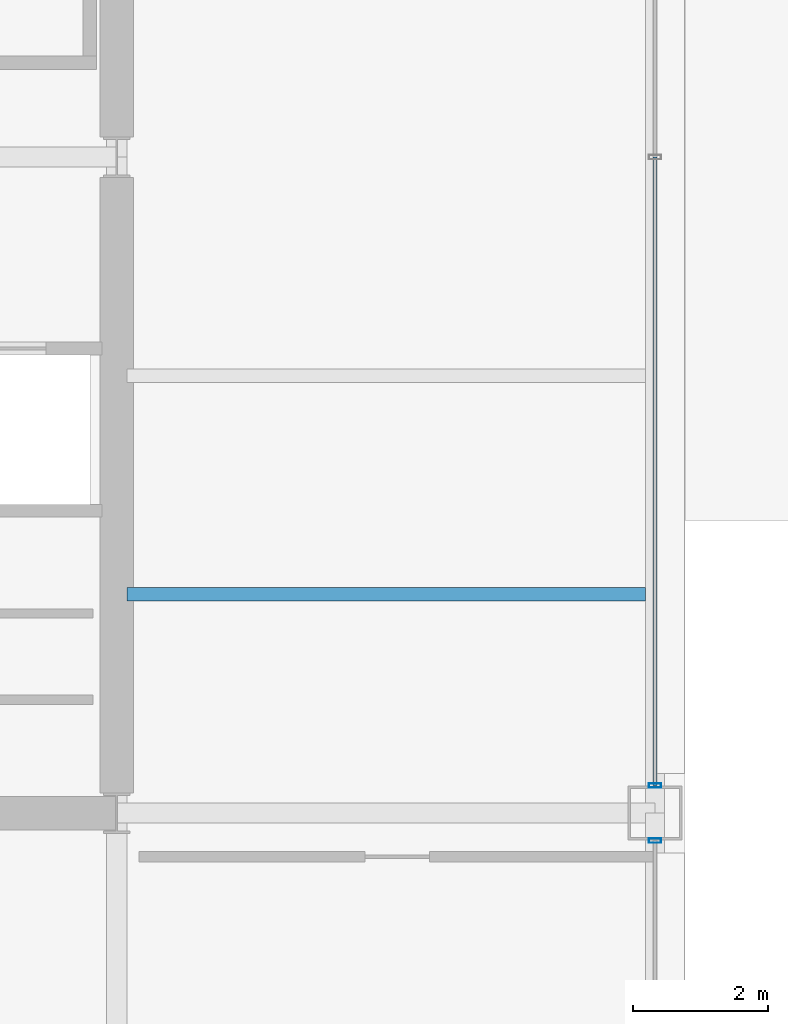
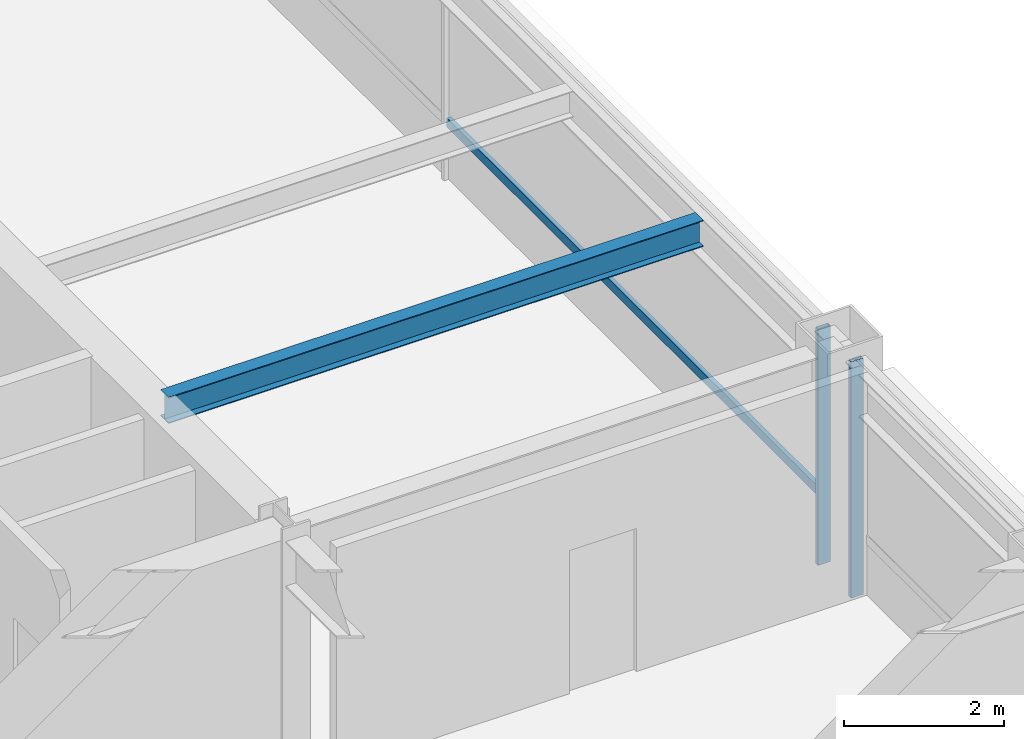
# One storey, part 13 of 28: 3 members, 1 beam, 2 elements without a shape of their own.
"""IFC4 building model written with IfcOpenShell, lengths in metres."""

from ifc_helpers import new_model, si_unit, direction, frame, origin, origin_2d, place, context, subcontext, project, spatial, hollow_rectangle, i_section, extrude, material, layer, layer_set, material_profile, profile_set, type_object, element, aggregate, save


model = new_model("IFC4")

# Units and contexts
model_context = context("Model", 3, precision=1e-05, world=origin(), true_north=direction((0.0, 1.0)))
body_context = subcontext(model_context, "Body", "Model", "MODEL_VIEW")
ifc_project = project(units=[si_unit("LENGTHUNIT", "METRE"), si_unit("AREAUNIT", "SQUARE_METRE"), si_unit("VOLUMEUNIT", "CUBIC_METRE"), si_unit("PLANEANGLEUNIT", "RADIAN"), si_unit("MASSUNIT", "GRAM", prefix="KILO")], contexts=[model_context])

# Site, building, storey
site_placement = place(None, origin())
site = spatial("IfcSite", under=ifc_project, at=site_placement, CompositionType="ELEMENT")
building_placement = place(site_placement, origin())
building = spatial("IfcBuilding", under=site, at=building_placement, Name="Brelmoor Portico Tower", CompositionType="ELEMENT")
storey_placement = place(building_placement, frame((0.0, 0.0, 142.199951171875)))
storey = spatial("IfcBuildingStorey", under=building, at=storey_placement, Name="L37", CompositionType="ELEMENT", Elevation=142.199951171875)

# Beam
ifc_material_1 = material(Name="Steel Q355B", Category="steel")
ifc_material_profile_1 = material_profile(ifc_material_1, i_section(OverallWidth=0.199951171875, OverallDepth=0.39990234375, WebThickness=0.008056640625, FlangeThickness=0.012939453125, at=origin_2d()), Name="HN 400x200x8x13")
ifc_profile_set_1 = profile_set([ifc_material_profile_1], Name="Steel Q355B")
beam_type = type_object("IfcBeamType", Name="BM-JS-400", PredefinedType="JOIST", material=ifc_profile_set_1)
beam_placement = place(storey_placement, frame((14.699951171875, -6.5, 3.199951171875), z_axis=(1.0, 0.0, 0.0), x_axis=(0.0, 1.0, 0.0)))
element("IfcBeam", 1, at=beam_placement, inside=storey, type_object=beam_type, Name="L37 Secondary Wing Joist JS-E09", PredefinedType="JOIST", context=body_context, shape_type="SweptSolid", body=[
    extrude(i_section(OverallWidth=0.199951171875, OverallDepth=0.39990234375, WebThickness=0.008056640625, FlangeThickness=0.012939453125, at=origin_2d()), origin(), (0.0, 0.0, 1.0), 7.7099609375),
])

# Curtain wall, member
ifc_material_2 = material(Name="Anodised Aluminium Alloy 6063-T6", Category="aluminium")
ifc_layer = layer(ifc_material_2, 0.179931640625)
ifc_layer_set = layer_set([ifc_layer], Name="Anodised Aluminium Alloy 6063-T6")
curtain_wall_type = type_object("IfcCurtainWallType", Name="CW-TOWER-Z2", PredefinedType="NOTDEFINED", material=ifc_layer_set)
curtain_wall_1_placement = place(storey_placement, origin())
curtain_wall_1 = element("IfcCurtainWall", 2, at=curtain_wall_1_placement, inside=storey, type_object=curtain_wall_type, Name="L37 Curtain Wall CW-L37-04-1", PredefinedType="NOTDEFINED")
ifc_material_profile_2 = material_profile(ifc_material_2, hollow_rectangle(XDim=0.06494140625, YDim=0.179931640625, WallThickness=0.00390625, at=origin_2d()), Name="ALU MULLION 65x180")
ifc_profile_set_2 = profile_set([ifc_material_profile_2], Name="Anodised Aluminium Alloy 6063-T6")
member_type_1 = type_object("IfcMemberType", Name="MB-CW-MULL-180", PredefinedType="MULLION", material=ifc_profile_set_2)
member_1_placement = place(storey_placement, frame((22.550048828125, -10.159912109375, -0.199951171875), z_axis=(0.0, 0.0, 1.0), x_axis=(0.0, 1.0, 0.0)))
member_1 = element("IfcMember", 3, at=member_1_placement, type_object=member_type_1, Name="CW-L37-04-1 Mullion 01", PredefinedType="MULLION", context=body_context, shape_type="SweptSolid", body=[
    extrude(hollow_rectangle(XDim=0.06494140625, YDim=0.179931640625, WallThickness=0.00390625, at=origin_2d()), origin(), (0.0, 0.0, 1.0), 3.60009765625),
])
aggregate(curtain_wall_1, [member_1])

# Curtain wall, members
curtain_wall_2_placement = place(storey_placement, origin())
curtain_wall_2 = element("IfcCurtainWall", 4, at=curtain_wall_2_placement, inside=storey, type_object=curtain_wall_type, Name="L37 Curtain Wall CW-L37-04-2", PredefinedType="NOTDEFINED")
member_2_placement = place(storey_placement, frame((22.550048828125, -9.340087890625, -0.199951171875), z_axis=(0.0, 0.0, 1.0), x_axis=(0.0, 1.0, 0.0)))
member_2 = element("IfcMember", 5, at=member_2_placement, type_object=member_type_1, Name="CW-L37-04-2 Mullion 00", PredefinedType="MULLION", context=body_context, shape_type="SweptSolid", body=[
    extrude(hollow_rectangle(XDim=0.06494140625, YDim=0.179931640625, WallThickness=0.00390625, at=origin_2d()), origin(), (0.0, 0.0, 1.0), 3.60009765625),
])
ifc_material_profile_3 = material_profile(ifc_material_2, hollow_rectangle(XDim=0.06494140625, YDim=0.139892578125, WallThickness=0.00390625, at=origin_2d()), Name="ALU TRANSOM 65x140")
ifc_profile_set_3 = profile_set([ifc_material_profile_3], Name="Anodised Aluminium Alloy 6063-T6")
member_type_2 = type_object("IfcMemberType", Name="MB-CW-TRAN-140", PredefinedType="USERDEFINED", material=ifc_profile_set_3)
member_3_placement = place(storey_placement, frame((22.550048828125, -9.340087890625, 0.85009765625), z_axis=(0.0, 1.0, 0.0), x_axis=(-1.0, 0.0, 0.0)))
member_3 = element("IfcMember", 6, at=member_3_placement, type_object=member_type_2, Name="CW-L37-04-2 Transom 1-00", ObjectType="TRANSOM", PredefinedType="USERDEFINED", context=body_context, shape_type="SweptSolid", body=[
    extrude(hollow_rectangle(XDim=0.06494140625, YDim=0.139892578125, WallThickness=0.00390625, at=origin_2d()), origin(), (0.0, 0.0, 1.0), 9.340087890625),
])
aggregate(curtain_wall_2, [member_2, member_3])

save(model, "model.ifc")
